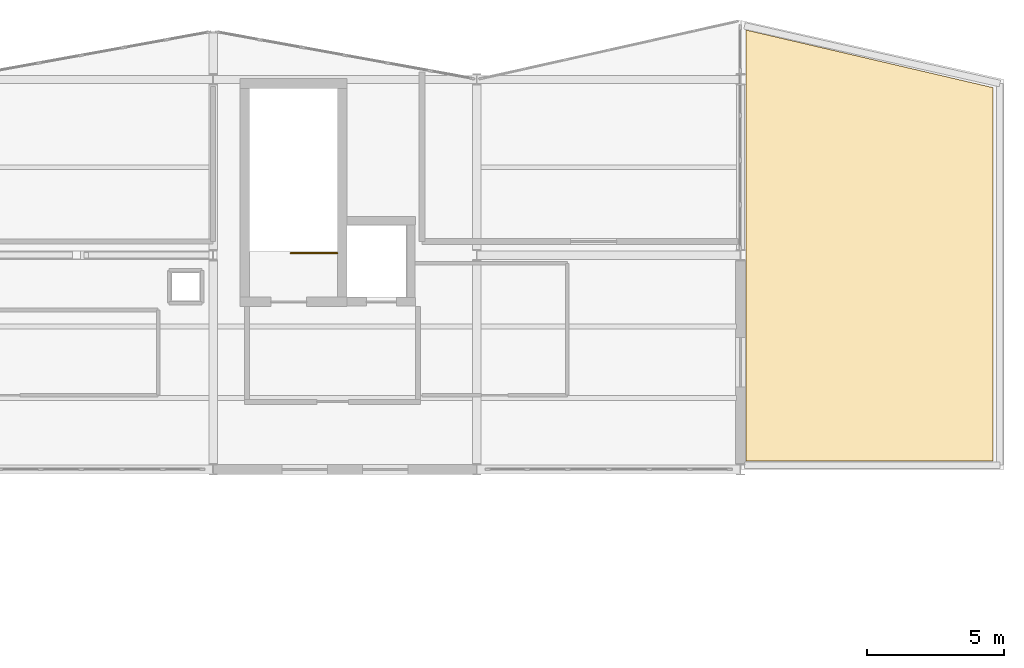
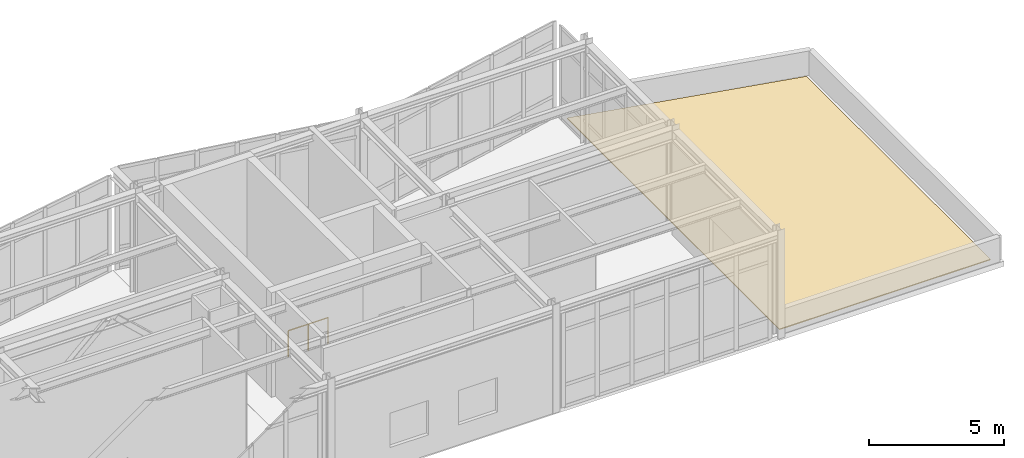
# One storey, part 28 of 28: 1 covering, 1 railing.
"""IFC4 building model written with IfcOpenShell, lengths in metres."""

from ifc_helpers import new_model, si_unit, direction, frame, origin, origin_2d, place, context, subcontext, project, spatial, polyline, circle, outline, extrude, material, layer, layer_set, type_object, element, save


model = new_model("IFC4")

# Units and contexts
model_context = context("Model", 3, precision=1e-05, world=origin(), true_north=direction((0.0, 1.0)))
body_context = subcontext(model_context, "Body", "Model", "MODEL_VIEW")
ifc_project = project(units=[si_unit("LENGTHUNIT", "METRE"), si_unit("AREAUNIT", "SQUARE_METRE"), si_unit("VOLUMEUNIT", "CUBIC_METRE"), si_unit("PLANEANGLEUNIT", "RADIAN"), si_unit("MASSUNIT", "GRAM", prefix="KILO")], contexts=[model_context])

# Site, building, storey
site_placement = place(None, origin())
site = spatial("IfcSite", under=ifc_project, at=site_placement, CompositionType="ELEMENT")
building_placement = place(site_placement, origin())
building = spatial("IfcBuilding", under=site, at=building_placement, Name="Nordkorset Police Headquarters", CompositionType="ELEMENT")
storey_placement = place(building_placement, frame((0.0, 0.0, 26.25)))
storey = spatial("IfcBuildingStorey", under=building, at=storey_placement, Name="L06", CompositionType="ELEMENT", Elevation=26.25)

# Railing
ifc_material_1 = material(Name="Steel S355J2", Category="steel")
ifc_layer_1 = layer(ifc_material_1, 0.050048828125, Name="Steel S355J2")
ifc_layer_set_1 = layer_set([ifc_layer_1], Name="Steel S355J2")
railing_type = type_object("IfcRailingType", Name="Railing_StairGuard_1200", PredefinedType="GUARDRAIL", material=ifc_layer_set_1)
railing_placement = place(storey_placement, frame((62.125, 110.47509765625, 0.0)))
element("IfcRailing", 1, at=railing_placement, inside=storey, type_object=railing_type, Name="L06 ST-02 top well guard 1", PredefinedType="GUARDRAIL", context=body_context, shape_type="SweptSolid", body=[
    extrude(circle(Radius=0.02392578125, at=origin_2d()), frame((0.0, 0.0, 1.17578125), z_axis=(-1.0, 0.0, 0.0), x_axis=(0.0, -1.0, 0.0)), (0.0, 0.0, 1.0), 1.699951171875),
    extrude(circle(Radius=0.02099609375, at=origin_2d()), origin(), (0.0, 0.0, 1.0), 1.15185546875),
    extrude(circle(Radius=0.02099609375, at=origin_2d()), frame((-0.85009765625, 0.0, 0.0)), (0.0, 0.0, 1.0), 1.15185546875),
    extrude(circle(Radius=0.02099609375, at=origin_2d()), frame((-1.699951171875, 0.0, 0.0)), (0.0, 0.0, 1.0), 1.15185546875),
])

# Covering
ifc_material_2 = material(Name="Patinated Nordic zinc")
ifc_layer_2 = layer(ifc_material_2, 0.0400390625, Name="Patinated Nordic zinc")
ifc_layer_set_2 = layer_set([ifc_layer_2], Name="Patinated Nordic zinc")
covering_type = type_object("IfcCoveringType", Name="Roofing_StandingSeam_Zinc", PredefinedType="ROOFING", material=ifc_layer_set_2)
covering_placement = place(storey_placement, origin())
element("IfcCovering", 2, at=covering_placement, inside=storey, type_object=covering_type, Name="Patinated Nordic Zinc Roof Covering ROOFCVR-V2-ESTEP", PredefinedType="ROOFING", context=body_context, shape_type="SweptSolid", body=[
    extrude(outline(polyline([(77.0, 102.89990234375), (86.0, 102.89990234375), (86.0, 116.5), (77.0, 118.60009765625), (77.0, 102.89990234375)])), origin(), (0.0, 0.0, 1.0), 0.0400390625),
])

save(model, "model.ifc")
